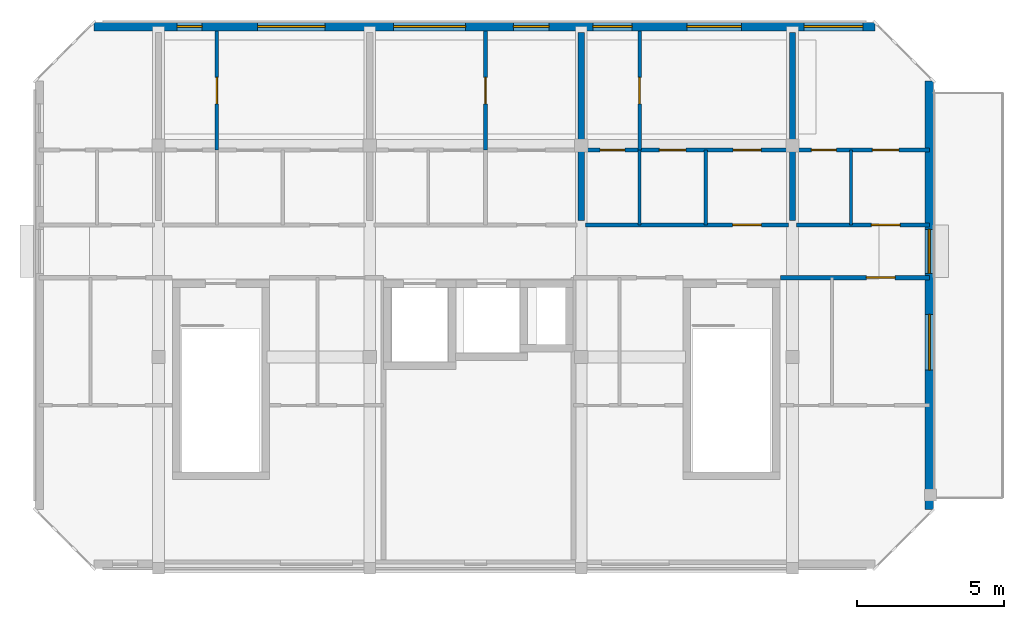
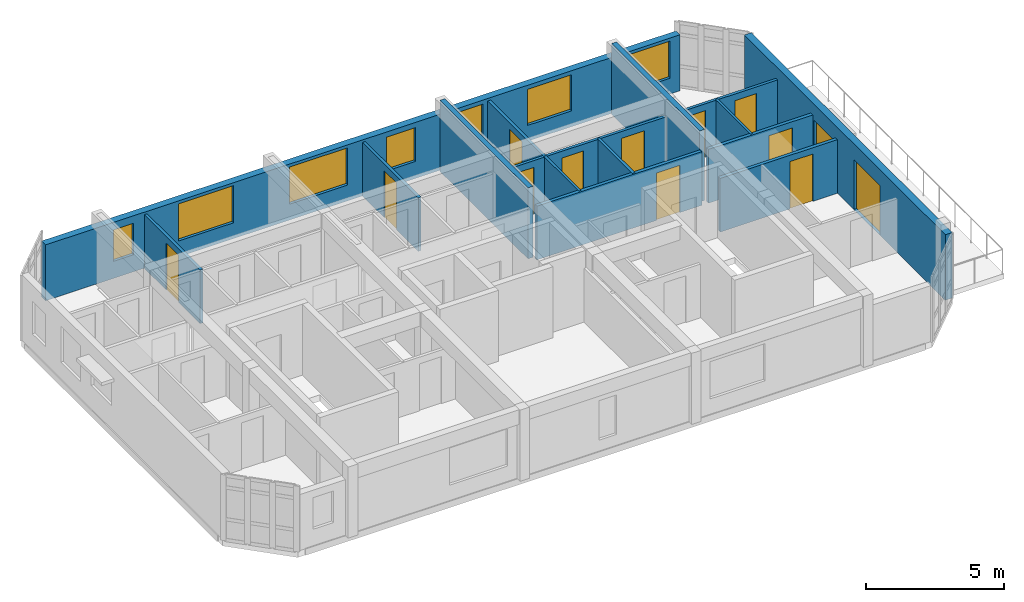
# One storey, part 5 of 6: 15 walls, 12 doors, 8 windows, 20 openings.
"""IFC4 building model written with IfcOpenShell, lengths in metres."""

from ifc_helpers import new_model, si_unit, direction, frame, frame_2d, origin, place, context, subcontext, project, spatial, rectangle, extrude, material, layer, layer_set, type_object, element, fill, save


model = new_model("IFC4")

# Units and contexts
model_context = context("Model", 3, precision=1e-05, world=origin(), true_north=direction((0.0, 1.0)))
body_context = subcontext(model_context, "Body", "Model", "MODEL_VIEW")
ifc_project = project(units=[si_unit("LENGTHUNIT", "METRE"), si_unit("AREAUNIT", "SQUARE_METRE"), si_unit("VOLUMEUNIT", "CUBIC_METRE"), si_unit("PLANEANGLEUNIT", "RADIAN"), si_unit("MASSUNIT", "GRAM", prefix="KILO")], contexts=[model_context])

# Site, building, storey
site_placement = place(None, origin())
site = spatial("IfcSite", under=ifc_project, at=site_placement, CompositionType="ELEMENT")
building_placement = place(site_placement, origin())
building = spatial("IfcBuilding", under=site, at=building_placement, Name="Ochrevale Crest", CompositionType="ELEMENT")
storey_placement = place(building_placement, frame((0.0, 0.0, 49.64990234375)))
storey = spatial("IfcBuildingStorey", under=building, at=storey_placement, Name="L15", CompositionType="ELEMENT", Elevation=49.64990234375)

# Wall, opening, door
ifc_material_1 = material(Name="Gypsum plasterboard", Category="gypsum")
ifc_layer_1 = layer(ifc_material_1, 0.139892578125)
ifc_layer_set_1 = layer_set([ifc_layer_1], Name="Gypsum plasterboard")
wall_type_1 = type_object("IfcWallType", Name="WL-COR-140", PredefinedType="PARTITIONING", material=ifc_layer_set_1)
wall_1_placement = place(storey_placement, frame((151.340087890625, 83.699951171875, 0.0), z_axis=(0.0, 0.0, 1.0), x_axis=(1.0, 0.0, 0.0)))
wall_1 = element("IfcWall", 1, at=wall_1_placement, inside=storey, type_object=wall_type_1, Name="Apartment D-L15-U4 corridor wall", PredefinedType="PARTITIONING", context=body_context, shape_type="SweptSolid", body=[
    extrude(rectangle(XDim=6.919921875, YDim=0.139892578125, at=frame_2d((3.4599609375, 0.0))), origin(), (0.0, 0.0, 1.0), 2.380126953125),
])
opening_1_placement = place(wall_1_placement, frame((6.0, 0.0, 0.0), z_axis=(0.0, 0.0, 1.0), x_axis=(-1.0, 0.0, 0.0)))
opening_1 = element("IfcOpeningElement", 2, at=opening_1_placement, cuts=wall_1, Name="Opening FD01", PredefinedType="OPENING", context=body_context, shape_type="SweptSolid", body=[
    extrude(rectangle(XDim=0.97998046875, YDim=2.10009765625, at=frame_2d((0.489990234375, 1.050048828125))), frame((0.0, 0.080078125, 0.0), z_axis=(0.0, -1.0, 0.0), x_axis=(1.0, 0.0, 0.0)), (0.0, 0.0, 1.0), 0.159912109375),
])
ifc_material_2 = material(Name="Solid-core FSC hardwood", Category="wood")
door_type_1 = type_object("IfcDoorType", Name="DR-APT-950", OperationType="NOTDEFINED", PredefinedType="DOOR", material=ifc_material_2)
door_1_placement = place(opening_1_placement, origin())
door_1 = element("IfcDoor", 3, at=door_1_placement, inside=storey, type_object=door_type_1, Name="Apartment D-L15-U4 entrance door", OperationType="SINGLE_SWING_RIGHT", OverallHeight=2.10009765625, OverallWidth=0.97998046875, PredefinedType="DOOR", context=body_context, shape_type="SweptSolid", body=[
    extrude(rectangle(XDim=0.97998046875, YDim=2.10009765625, at=frame_2d((0.489990234375, 1.050048828125))), frame((0.0, 0.02490234375, 0.0), z_axis=(0.0, -1.0, 0.0), x_axis=(1.0, 0.0, 0.0)), (0.0, 0.0, 1.0), 0.050048828125),
])
fill(opening_1, door_1)

wall_2_placement = place(storey_placement, frame((158.5400390625, 83.699951171875, 0.0), z_axis=(0.0, 0.0, 1.0), x_axis=(1.0, 0.0, 0.0)))
wall_2 = element("IfcWall", 4, at=wall_2_placement, inside=storey, type_object=wall_type_1, Name="Apartment D-L15-U5 corridor wall", PredefinedType="PARTITIONING", context=body_context, shape_type="SweptSolid", body=[
    extrude(rectangle(XDim=4.52001953125, YDim=0.139892578125, at=frame_2d((2.260009765625, 0.0))), origin(), (0.0, 0.0, 1.0), 2.380126953125),
])
opening_2_placement = place(wall_2_placement, frame((2.5400390625, 0.0, 0.0)))
opening_2 = element("IfcOpeningElement", 5, at=opening_2_placement, cuts=wall_2, Name="Opening FD01", PredefinedType="OPENING", context=body_context, shape_type="SweptSolid", body=[
    extrude(rectangle(XDim=0.97998046875, YDim=2.10009765625, at=frame_2d((0.489990234375, 1.050048828125))), frame((0.0, 0.080078125, 0.0), z_axis=(0.0, -1.0, 0.0), x_axis=(1.0, 0.0, 0.0)), (0.0, 0.0, 1.0), 0.159912109375),
])
door_2_placement = place(opening_2_placement, origin())
door_2 = element("IfcDoor", 6, at=door_2_placement, inside=storey, type_object=door_type_1, Name="Apartment D-L15-U5 entrance door", OperationType="SINGLE_SWING_LEFT", OverallHeight=2.10009765625, OverallWidth=0.97998046875, PredefinedType="DOOR", context=body_context, shape_type="SweptSolid", body=[
    extrude(rectangle(XDim=0.97998046875, YDim=2.10009765625, at=frame_2d((0.489990234375, 1.050048828125))), frame((0.0, 0.02490234375, 0.0), z_axis=(0.0, -1.0, 0.0), x_axis=(1.0, 0.0, 0.0)), (0.0, 0.0, 1.0), 0.050048828125),
])
fill(opening_2, door_2)

wall_3_placement = place(storey_placement, frame((157.989990234375, 81.89990234375, 0.0), z_axis=(0.0, 0.0, 1.0), x_axis=(1.0, 0.0, 0.0)))
wall_3 = element("IfcWall", 7, at=wall_3_placement, inside=storey, type_object=wall_type_1, Name="Suite D-L15-CE corridor wall", PredefinedType="PARTITIONING", context=body_context, shape_type="SweptSolid", body=[
    extrude(rectangle(XDim=5.070068359375, YDim=0.139892578125, at=frame_2d((2.53515625, 0.0))), origin(), (0.0, 0.0, 1.0), 2.380126953125),
])
opening_3_placement = place(wall_3_placement, frame((2.919921875, 0.0, 0.0)))
opening_3 = element("IfcOpeningElement", 8, at=opening_3_placement, cuts=wall_3, Name="Opening FD01", PredefinedType="OPENING", context=body_context, shape_type="SweptSolid", body=[
    extrude(rectangle(XDim=0.97998046875, YDim=2.10009765625, at=frame_2d((0.489990234375, 1.050048828125))), frame((0.0, 0.080078125, 0.0), z_axis=(0.0, -1.0, 0.0), x_axis=(1.0, 0.0, 0.0)), (0.0, 0.0, 1.0), 0.159912109375),
])
door_3_placement = place(opening_3_placement, origin())
door_3 = element("IfcDoor", 9, at=door_3_placement, inside=storey, type_object=door_type_1, Name="Suite D-L15-CE entrance door", OperationType="SINGLE_SWING_LEFT", OverallHeight=2.10009765625, OverallWidth=0.97998046875, PredefinedType="DOOR", context=body_context, shape_type="SweptSolid", body=[
    extrude(rectangle(XDim=0.97998046875, YDim=2.10009765625, at=frame_2d((0.489990234375, 1.050048828125))), frame((0.0, 0.02490234375, 0.0), z_axis=(0.0, -1.0, 0.0), x_axis=(1.0, 0.0, 0.0)), (0.0, 0.0, 1.0), 0.050048828125),
])
fill(opening_3, door_3)

# Wall, openings, door, window
ifc_material_3 = material(Name="Clay face brickwork", Category="masonry")
ifc_layer_2 = layer(ifc_material_3, 0.2900390625)
ifc_layer_set_2 = layer_set([ifc_layer_2], Name="Clay face brickwork")
wall_type_2 = type_object("IfcWallType", Name="WL-EXT-BRICK-290", PredefinedType="SOLIDWALL", material=ifc_layer_set_2)
wall_4_placement = place(storey_placement, frame((163.054931640625, 74.0, 0.0), z_axis=(0.0, 0.0, 1.0), x_axis=(0.0, 1.0, 0.0)))
wall_4 = element("IfcWall", 10, at=wall_4_placement, inside=storey, type_object=wall_type_2, Name="Block D L15 external facade wall E3", PredefinedType="SOLIDWALL", context=body_context, shape_type="SweptSolid", body=[
    extrude(rectangle(XDim=14.60009765625, YDim=0.2900390625, at=frame_2d((7.300048828125, 0.0))), origin(), (0.0, 0.0, 1.0), 2.91015625),
])
opening_4_placement = place(wall_4_placement, frame((6.64990234375, 0.0, 0.0), z_axis=(0.0, 0.0, 1.0), x_axis=(-1.0, 0.0, 0.0)))
opening_4 = element("IfcOpeningElement", 11, at=opening_4_placement, cuts=wall_4, Name="Opening TD01", PredefinedType="OPENING", context=body_context, shape_type="SweptSolid", body=[
    extrude(rectangle(XDim=1.89990234375, YDim=2.199951171875, at=frame_2d((0.949951171875, 1.10009765625))), frame((0.0, 0.155029296875, 0.0), z_axis=(0.0, -1.0, 0.0), x_axis=(1.0, 0.0, 0.0)), (0.0, 0.0, 1.0), 0.31005859375),
])
opening_5_placement = place(wall_4_placement, frame((8.050048828125, 0.0, 1.050048828125)))
opening_5 = element("IfcOpeningElement", 12, at=opening_5_placement, cuts=wall_4, Name="Opening W18", PredefinedType="OPENING", context=body_context, shape_type="SweptSolid", body=[
    extrude(rectangle(XDim=1.5, YDim=1.14990234375, at=frame_2d((0.75, 0.574951171875))), frame((0.0, 0.155029296875, 0.0), z_axis=(0.0, -1.0, 0.0), x_axis=(1.0, 0.0, 0.0)), (0.0, 0.0, 1.0), 0.31005859375),
])
ifc_material_4 = material(Name="Anodised aluminium 6063-T5 and toughened glass", Category="aluminium")
door_type_2 = type_object("IfcDoorType", Name="DR-TER-1900", OperationType="NOTDEFINED", PredefinedType="DOOR", material=ifc_material_4)
door_4_placement = place(opening_4_placement, origin())
door_4 = element("IfcDoor", 13, at=door_4_placement, inside=storey, type_object=door_type_2, Name="Block D L15 east penthouse terrace door", OperationType="DOUBLE_DOOR_SINGLE_SWING", OverallHeight=2.199951171875, OverallWidth=1.89990234375, PredefinedType="DOOR", context=body_context, shape_type="SweptSolid", body=[
    extrude(rectangle(XDim=1.89990234375, YDim=2.199951171875, at=frame_2d((0.949951171875, 1.10009765625))), frame((0.0, 0.02490234375, 0.0), z_axis=(0.0, -1.0, 0.0), x_axis=(1.0, 0.0, 0.0)), (0.0, 0.0, 1.0), 0.050048828125),
])
fill(opening_4, door_4)
ifc_material_5 = material(Name="Anodised aluminium 6063-T5 and low-E double glazing", Category="aluminium")
window_type_1 = type_object("IfcWindowType", Name="WIN-W18", PartitioningType="SINGLE_PANEL", PredefinedType="WINDOW", material=ifc_material_5)
window_1_placement = place(opening_5_placement, origin())
window_1 = element("IfcWindow", 14, at=window_1_placement, inside=storey, type_object=window_type_1, Name="Block D L15 corridor end daylight window E", OverallHeight=1.14990234375, OverallWidth=1.5, PartitioningType="SINGLE_PANEL", PredefinedType="WINDOW", context=body_context, shape_type="SweptSolid", body=[
    extrude(rectangle(XDim=1.5, YDim=1.14990234375, at=frame_2d((0.75, 0.574951171875))), frame((0.0, 0.030029296875, 0.0), z_axis=(0.0, -1.0, 0.0), x_axis=(1.0, 0.0, 0.0)), (0.0, 0.0, 1.0), 0.06005859375),
])
fill(opening_5, window_1)

# Wall, openings, windows
wall_5_placement = place(storey_placement, frame((161.199951171875, 90.455078125, 0.0), z_axis=(0.0, 0.0, 1.0), x_axis=(-1.0, 0.0, 0.0)))
wall_5 = element("IfcWall", 15, at=wall_5_placement, inside=storey, type_object=wall_type_2, Name="Block D L15 external facade wall E5", PredefinedType="SOLIDWALL", context=body_context, shape_type="SweptSolid", body=[
    extrude(rectangle(XDim=26.599853515625, YDim=0.2900390625, at=frame_2d((13.2998046875, 0.0))), origin(), (0.0, 0.0, 1.0), 2.47998046875),
])
opening_6_placement = place(wall_5_placement, frame((22.909912109375, 0.0, 0.75)))
opening_6 = element("IfcOpeningElement", 16, at=opening_6_placement, cuts=wall_5, Name="Opening W03", PredefinedType="OPENING", context=body_context, shape_type="SweptSolid", body=[
    extrude(rectangle(XDim=0.85009765625, YDim=1.39990234375, at=frame_2d((0.425048828125, 0.699951171875))), frame((0.0, 0.155029296875, 0.0), z_axis=(0.0, -1.0, 0.0), x_axis=(1.0, 0.0, 0.0)), (0.0, 0.0, 1.0), 0.31005859375),
])
opening_7_placement = place(wall_5_placement, frame((18.72509765625, 0.0, 0.699951171875)))
opening_7 = element("IfcOpeningElement", 17, at=opening_7_placement, cuts=wall_5, Name="Opening W14", PredefinedType="OPENING", context=body_context, shape_type="SweptSolid", body=[
    extrude(rectangle(XDim=2.300048828125, YDim=1.64990234375, at=frame_2d((1.14990234375, 0.824951171875))), frame((0.0, 0.155029296875, 0.0), z_axis=(0.0, -1.0, 0.0), x_axis=(1.0, 0.0, 0.0)), (0.0, 0.0, 1.0), 0.31005859375),
])
opening_8_placement = place(wall_5_placement, frame((13.93505859375, 0.0, 0.699951171875)))
opening_8 = element("IfcOpeningElement", 18, at=opening_8_placement, cuts=wall_5, Name="Opening W15", PredefinedType="OPENING", context=body_context, shape_type="SweptSolid", body=[
    extrude(rectangle(XDim=2.449951171875, YDim=1.64990234375, at=frame_2d((1.22509765625, 0.824951171875))), frame((0.0, 0.155029296875, 0.0), z_axis=(0.0, -1.0, 0.0), x_axis=(1.0, 0.0, 0.0)), (0.0, 0.0, 1.0), 0.31005859375),
])
opening_9_placement = place(wall_5_placement, frame((11.090087890625, 0.0, 0.75)))
opening_9 = element("IfcOpeningElement", 19, at=opening_9_placement, cuts=wall_5, Name="Opening W06", PredefinedType="OPENING", context=body_context, shape_type="SweptSolid", body=[
    extrude(rectangle(XDim=1.219970703125, YDim=1.5, at=frame_2d((0.60986328125, 0.75))), frame((0.0, 0.155029296875, 0.0), z_axis=(0.0, -1.0, 0.0), x_axis=(1.0, 0.0, 0.0)), (0.0, 0.0, 1.0), 0.31005859375),
])
opening_10_placement = place(wall_5_placement, frame((8.264892578125, 0.0, 0.75)))
opening_10 = element("IfcOpeningElement", 20, at=opening_10_placement, cuts=wall_5, Name="Opening W07", PredefinedType="OPENING", context=body_context, shape_type="SweptSolid", body=[
    extrude(rectangle(XDim=1.340087890625, YDim=1.550048828125, at=frame_2d((0.669921875, 0.77490234375))), frame((0.0, 0.155029296875, 0.0), z_axis=(0.0, -1.0, 0.0), x_axis=(1.0, 0.0, 0.0)), (0.0, 0.0, 1.0), 0.31005859375),
])
opening_11_placement = place(wall_5_placement, frame((4.544921875, 0.0, 0.699951171875)))
opening_11 = element("IfcOpeningElement", 21, at=opening_11_placement, cuts=wall_5, Name="Opening W11", PredefinedType="OPENING", context=body_context, shape_type="SweptSolid", body=[
    extrude(rectangle(XDim=1.860107421875, YDim=1.60009765625, at=frame_2d((0.93017578125, 0.800048828125))), frame((0.0, 0.155029296875, 0.0), z_axis=(0.0, -1.0, 0.0), x_axis=(1.0, 0.0, 0.0)), (0.0, 0.0, 1.0), 0.31005859375),
])
opening_12_placement = place(wall_5_placement, frame((0.409912109375, 0.0, 0.699951171875)))
opening_12 = element("IfcOpeningElement", 22, at=opening_12_placement, cuts=wall_5, Name="Opening W12", PredefinedType="OPENING", context=body_context, shape_type="SweptSolid", body=[
    extrude(rectangle(XDim=2.0, YDim=1.64990234375, at=frame_2d((1.0, 0.824951171875))), frame((0.0, 0.155029296875, 0.0), z_axis=(0.0, -1.0, 0.0), x_axis=(1.0, 0.0, 0.0)), (0.0, 0.0, 1.0), 0.31005859375),
])
window_type_2 = type_object("IfcWindowType", Name="WIN-W03", PartitioningType="SINGLE_PANEL", PredefinedType="WINDOW", material=ifc_material_5)
window_2_placement = place(opening_6_placement, origin())
window_2 = element("IfcWindow", 23, at=window_2_placement, inside=storey, type_object=window_type_2, Name="Block D L15 Apartment D-L15-U2 Double Bedroom window", OverallHeight=1.39990234375, OverallWidth=0.85009765625, PartitioningType="SINGLE_PANEL", PredefinedType="WINDOW", context=body_context, shape_type="SweptSolid", body=[
    extrude(rectangle(XDim=0.85009765625, YDim=1.39990234375, at=frame_2d((0.425048828125, 0.699951171875))), frame((0.0, 0.030029296875, 0.0), z_axis=(0.0, -1.0, 0.0), x_axis=(1.0, 0.0, 0.0)), (0.0, 0.0, 1.0), 0.06005859375),
])
fill(opening_6, window_2)
window_type_3 = type_object("IfcWindowType", Name="WIN-W06", PartitioningType="SINGLE_PANEL", PredefinedType="WINDOW", material=ifc_material_5)
window_3_placement = place(opening_9_placement, origin())
window_3 = element("IfcWindow", 24, at=window_3_placement, inside=storey, type_object=window_type_3, Name="Block D L15 Apartment D-L15-U3 One Bedroom Living Room window", OverallHeight=1.5, OverallWidth=1.219970703125, PartitioningType="SINGLE_PANEL", PredefinedType="WINDOW", context=body_context, shape_type="SweptSolid", body=[
    extrude(rectangle(XDim=1.219970703125, YDim=1.5, at=frame_2d((0.60986328125, 0.75))), frame((0.0, 0.030029296875, 0.0), z_axis=(0.0, -1.0, 0.0), x_axis=(1.0, 0.0, 0.0)), (0.0, 0.0, 1.0), 0.06005859375),
])
fill(opening_9, window_3)
window_type_4 = type_object("IfcWindowType", Name="WIN-W07", PartitioningType="SINGLE_PANEL", PredefinedType="WINDOW", material=ifc_material_5)
window_4_placement = place(opening_10_placement, origin())
window_4 = element("IfcWindow", 25, at=window_4_placement, inside=storey, type_object=window_type_4, Name="Block D L15 Apartment D-L15-U4 Twin Bedroom window", OverallHeight=1.550048828125, OverallWidth=1.340087890625, PartitioningType="SINGLE_PANEL", PredefinedType="WINDOW", context=body_context, shape_type="SweptSolid", body=[
    extrude(rectangle(XDim=1.340087890625, YDim=1.550048828125, at=frame_2d((0.669921875, 0.77490234375))), frame((0.0, 0.030029296875, 0.0), z_axis=(0.0, -1.0, 0.0), x_axis=(1.0, 0.0, 0.0)), (0.0, 0.0, 1.0), 0.06005859375),
])
fill(opening_10, window_4)
window_type_5 = type_object("IfcWindowType", Name="WIN-W11", PartitioningType="SINGLE_PANEL", PredefinedType="WINDOW", material=ifc_material_5)
window_5_placement = place(opening_11_placement, origin())
window_5 = element("IfcWindow", 26, at=window_5_placement, inside=storey, type_object=window_type_5, Name="Block D L15 Apartment D-L15-U4 Three Bedroom Family Living window", OverallHeight=1.60009765625, OverallWidth=1.860107421875, PartitioningType="SINGLE_PANEL", PredefinedType="WINDOW", context=body_context, shape_type="SweptSolid", body=[
    extrude(rectangle(XDim=1.860107421875, YDim=1.60009765625, at=frame_2d((0.93017578125, 0.800048828125))), frame((0.0, 0.030029296875, 0.0), z_axis=(0.0, -1.0, 0.0), x_axis=(1.0, 0.0, 0.0)), (0.0, 0.0, 1.0), 0.06005859375),
])
fill(opening_11, window_5)
window_type_6 = type_object("IfcWindowType", Name="WIN-W12", PartitioningType="SINGLE_PANEL", PredefinedType="WINDOW", material=ifc_material_5)
window_6_placement = place(opening_12_placement, origin())
window_6 = element("IfcWindow", 27, at=window_6_placement, inside=storey, type_object=window_type_6, Name="Block D L15 Studio D-L15-U5 Living Room window", OverallHeight=1.64990234375, OverallWidth=2.0, PartitioningType="SINGLE_PANEL", PredefinedType="WINDOW", context=body_context, shape_type="SweptSolid", body=[
    extrude(rectangle(XDim=2.0, YDim=1.64990234375, at=frame_2d((1.0, 0.824951171875))), frame((0.0, 0.030029296875, 0.0), z_axis=(0.0, -1.0, 0.0), x_axis=(1.0, 0.0, 0.0)), (0.0, 0.0, 1.0), 0.06005859375),
])
fill(opening_12, window_6)
window_type_7 = type_object("IfcWindowType", Name="WIN-W14", PartitioningType="SINGLE_PANEL", PredefinedType="WINDOW", material=ifc_material_5)
window_7_placement = place(opening_7_placement, origin())
window_7 = element("IfcWindow", 28, at=window_7_placement, inside=storey, type_object=window_type_7, Name="Block D L15 Apartment D-L15-U2 Two Bedroom Living Room window", OverallHeight=1.64990234375, OverallWidth=2.300048828125, PartitioningType="SINGLE_PANEL", PredefinedType="WINDOW", context=body_context, shape_type="SweptSolid", body=[
    extrude(rectangle(XDim=2.300048828125, YDim=1.64990234375, at=frame_2d((1.14990234375, 0.824951171875))), frame((0.0, 0.030029296875, 0.0), z_axis=(0.0, -1.0, 0.0), x_axis=(1.0, 0.0, 0.0)), (0.0, 0.0, 1.0), 0.06005859375),
])
fill(opening_7, window_7)
window_type_8 = type_object("IfcWindowType", Name="WIN-W15", PartitioningType="SINGLE_PANEL", PredefinedType="WINDOW", material=ifc_material_5)
window_8_placement = place(opening_8_placement, origin())
window_8 = element("IfcWindow", 29, at=window_8_placement, inside=storey, type_object=window_type_8, Name="Block D L15 Apartment D-L15-U3 Master Bedroom window", OverallHeight=1.64990234375, OverallWidth=2.449951171875, PartitioningType="SINGLE_PANEL", PredefinedType="WINDOW", context=body_context, shape_type="SweptSolid", body=[
    extrude(rectangle(XDim=2.449951171875, YDim=1.64990234375, at=frame_2d((1.22509765625, 0.824951171875))), frame((0.0, 0.030029296875, 0.0), z_axis=(0.0, -1.0, 0.0), x_axis=(1.0, 0.0, 0.0)), (0.0, 0.0, 1.0), 0.06005859375),
])
fill(opening_8, window_8)

# Wall, opening, door
ifc_layer_3 = layer(ifc_material_1, 0.1201171875)
ifc_layer_set_3 = layer_set([ifc_layer_3], Name="Gypsum plasterboard")
wall_type_3 = type_object("IfcWallType", Name="WL-PART-120", PredefinedType="PARTITIONING", material=ifc_layer_set_3)
wall_6_placement = place(storey_placement, frame((138.7900390625, 86.25, 0.0), z_axis=(0.0, 0.0, 1.0), x_axis=(0.0, 1.0, 0.0)))
wall_6 = element("IfcWall", 30, at=wall_6_placement, inside=storey, type_object=wall_type_3, Name="Apartment D-L15-U2 bedroom partition", PredefinedType="PARTITIONING", context=body_context, shape_type="SweptSolid", body=[
    extrude(rectangle(XDim=4.050048828125, YDim=0.1201171875, at=frame_2d((2.02490234375, 0.0))), origin(), (0.0, 0.0, 1.0), 2.380126953125),
])
opening_13_placement = place(wall_6_placement, frame((2.474853515625, 0.0, 0.0), z_axis=(0.0, 0.0, 1.0), x_axis=(-1.0, 0.0, 0.0)))
opening_13 = element("IfcOpeningElement", 31, at=opening_13_placement, cuts=wall_6, Name="Opening ID02", PredefinedType="OPENING", context=body_context, shape_type="SweptSolid", body=[
    extrude(rectangle(XDim=0.89990234375, YDim=2.080078125, at=frame_2d((0.449951171875, 1.0400390625))), frame((0.0, 0.070068359375, 0.0), z_axis=(0.0, -1.0, 0.0), x_axis=(1.0, 0.0, 0.0)), (0.0, 0.0, 1.0), 0.14013671875),
])
door_type_3 = type_object("IfcDoorType", Name="DR-INT-900", OperationType="NOTDEFINED", PredefinedType="DOOR", material=ifc_material_2)
door_5_placement = place(opening_13_placement, origin())
door_5 = element("IfcDoor", 32, at=door_5_placement, inside=storey, type_object=door_type_3, Name="Apartment D-L15-U2 Double Bedroom door", OperationType="SINGLE_SWING_RIGHT", OverallHeight=2.080078125, OverallWidth=0.89990234375, PredefinedType="DOOR", context=body_context, shape_type="SweptSolid", body=[
    extrude(rectangle(XDim=0.89990234375, YDim=2.080078125, at=frame_2d((0.449951171875, 1.0400390625))), frame((0.0, 0.02490234375, 0.0), z_axis=(0.0, -1.0, 0.0), x_axis=(1.0, 0.0, 0.0)), (0.0, 0.0, 1.0), 0.050048828125),
])
fill(opening_13, door_5)

wall_7_placement = place(storey_placement, frame((147.93994140625, 86.25, 0.0), z_axis=(0.0, 0.0, 1.0), x_axis=(0.0, 1.0, 0.0)))
wall_7 = element("IfcWall", 33, at=wall_7_placement, inside=storey, type_object=wall_type_3, Name="Apartment D-L15-U3 bedroom partition", PredefinedType="PARTITIONING", context=body_context, shape_type="SweptSolid", body=[
    extrude(rectangle(XDim=4.050048828125, YDim=0.1201171875, at=frame_2d((2.02490234375, 0.0))), origin(), (0.0, 0.0, 1.0), 2.380126953125),
])
opening_14_placement = place(wall_7_placement, frame((1.574951171875, 0.0, 0.0)))
opening_14 = element("IfcOpeningElement", 34, at=opening_14_placement, cuts=wall_7, Name="Opening ID02", PredefinedType="OPENING", context=body_context, shape_type="SweptSolid", body=[
    extrude(rectangle(XDim=0.89990234375, YDim=2.080078125, at=frame_2d((0.449951171875, 1.0400390625))), frame((0.0, 0.070068359375, 0.0), z_axis=(0.0, -1.0, 0.0), x_axis=(1.0, 0.0, 0.0)), (0.0, 0.0, 1.0), 0.14013671875),
])
door_6_placement = place(opening_14_placement, origin())
door_6 = element("IfcDoor", 35, at=door_6_placement, inside=storey, type_object=door_type_3, Name="Apartment D-L15-U3 Master Bedroom door", OperationType="SINGLE_SWING_LEFT", OverallHeight=2.080078125, OverallWidth=0.89990234375, PredefinedType="DOOR", context=body_context, shape_type="SweptSolid", body=[
    extrude(rectangle(XDim=0.89990234375, YDim=2.080078125, at=frame_2d((0.449951171875, 1.0400390625))), frame((0.0, 0.02490234375, 0.0), z_axis=(0.0, -1.0, 0.0), x_axis=(1.0, 0.0, 0.0)), (0.0, 0.0, 1.0), 0.050048828125),
])
fill(opening_14, door_6)

# Wall
wall_8_placement = place(storey_placement, frame((155.43994140625, 83.699951171875, 0.0), z_axis=(0.0, 0.0, 1.0), x_axis=(0.0, 1.0, 0.0)))
element("IfcWall", 36, at=wall_8_placement, inside=storey, type_object=wall_type_3, Name="Apartment D-L15-U4 kitchen-foyer wall", PredefinedType="PARTITIONING", context=body_context, shape_type="SweptSolid", body=[
    extrude(rectangle(XDim=2.550048828125, YDim=0.1201171875, at=frame_2d((1.27490234375, 0.0))), origin(), (0.0, 0.0, 1.0), 2.380126953125),
])

# Wall, openings, doors
wall_9_placement = place(storey_placement, frame((151.340087890625, 86.25, 0.0), z_axis=(0.0, 0.0, 1.0), x_axis=(1.0, 0.0, 0.0)))
wall_9 = element("IfcWall", 37, at=wall_9_placement, inside=storey, type_object=wall_type_3, Name="Apartment D-L15-U4 central partition", PredefinedType="PARTITIONING", context=body_context, shape_type="SweptSolid", body=[
    extrude(rectangle(XDim=6.919921875, YDim=0.1201171875, at=frame_2d((3.4599609375, 0.0))), origin(), (0.0, 0.0, 1.0), 2.380126953125),
])
opening_15_placement = place(wall_9_placement, frame((0.5, 0.0, 0.0)))
opening_15 = element("IfcOpeningElement", 38, at=opening_15_placement, cuts=wall_9, Name="Opening ID01", PredefinedType="OPENING", context=body_context, shape_type="SweptSolid", body=[
    extrude(rectangle(XDim=0.85009765625, YDim=2.080078125, at=frame_2d((0.425048828125, 1.0400390625))), frame((0.0, 0.070068359375, 0.0), z_axis=(0.0, -1.0, 0.0), x_axis=(1.0, 0.0, 0.0)), (0.0, 0.0, 1.0), 0.14013671875),
])
opening_16_placement = place(wall_9_placement, frame((3.4248046875, 0.0, 0.0), z_axis=(0.0, 0.0, 1.0), x_axis=(-1.0, 0.0, 0.0)))
opening_16 = element("IfcOpeningElement", 39, at=opening_16_placement, cuts=wall_9, Name="Opening ID02", PredefinedType="OPENING", context=body_context, shape_type="SweptSolid", body=[
    extrude(rectangle(XDim=0.89990234375, YDim=2.080078125, at=frame_2d((0.449951171875, 1.0400390625))), frame((0.0, 0.070068359375, 0.0), z_axis=(0.0, -1.0, 0.0), x_axis=(1.0, 0.0, 0.0)), (0.0, 0.0, 1.0), 0.14013671875),
])
opening_17_placement = place(wall_9_placement, frame((5.034912109375, 0.0, 0.0)))
opening_17 = element("IfcOpeningElement", 40, at=opening_17_placement, cuts=wall_9, Name="Opening ID06", PredefinedType="OPENING", context=body_context, shape_type="SweptSolid", body=[
    extrude(rectangle(XDim=0.949951171875, YDim=2.080078125, at=frame_2d((0.47509765625, 1.0400390625))), frame((0.0, 0.070068359375, 0.0), z_axis=(0.0, -1.0, 0.0), x_axis=(1.0, 0.0, 0.0)), (0.0, 0.0, 1.0), 0.14013671875),
])
door_7_placement = place(opening_16_placement, origin())
door_7 = element("IfcDoor", 41, at=door_7_placement, inside=storey, type_object=door_type_3, Name="Apartment D-L15-U4 Kitchen door", OperationType="SINGLE_SWING_RIGHT", OverallHeight=2.080078125, OverallWidth=0.89990234375, PredefinedType="DOOR", context=body_context, shape_type="SweptSolid", body=[
    extrude(rectangle(XDim=0.89990234375, YDim=2.080078125, at=frame_2d((0.449951171875, 1.0400390625))), frame((0.0, 0.02490234375, 0.0), z_axis=(0.0, -1.0, 0.0), x_axis=(1.0, 0.0, 0.0)), (0.0, 0.0, 1.0), 0.050048828125),
])
fill(opening_16, door_7)
door_type_4 = type_object("IfcDoorType", Name="DR-INT-950", OperationType="NOTDEFINED", PredefinedType="DOOR", material=ifc_material_2)
door_8_placement = place(opening_17_placement, origin())
door_8 = element("IfcDoor", 42, at=door_8_placement, inside=storey, type_object=door_type_4, Name="Apartment D-L15-U4 Living Foyer door", OperationType="SINGLE_SWING_LEFT", OverallHeight=2.080078125, OverallWidth=0.949951171875, PredefinedType="DOOR", context=body_context, shape_type="SweptSolid", body=[
    extrude(rectangle(XDim=0.949951171875, YDim=2.080078125, at=frame_2d((0.47509765625, 1.0400390625))), frame((0.0, 0.02490234375, 0.0), z_axis=(0.0, -1.0, 0.0), x_axis=(1.0, 0.0, 0.0)), (0.0, 0.0, 1.0), 0.050048828125),
])
fill(opening_17, door_8)
door_type_5 = type_object("IfcDoorType", Name="DR-WC-850", OperationType="NOTDEFINED", PredefinedType="DOOR", material=ifc_material_2)
door_9_placement = place(opening_15_placement, origin())
door_9 = element("IfcDoor", 43, at=door_9_placement, inside=storey, type_object=door_type_5, Name="Apartment D-L15-U4 Bathroom door", OperationType="SINGLE_SWING_LEFT", OverallHeight=2.080078125, OverallWidth=0.85009765625, PredefinedType="DOOR", context=body_context, shape_type="SweptSolid", body=[
    extrude(rectangle(XDim=0.85009765625, YDim=2.080078125, at=frame_2d((0.425048828125, 1.0400390625))), frame((0.0, 0.02490234375, 0.0), z_axis=(0.0, -1.0, 0.0), x_axis=(1.0, 0.0, 0.0)), (0.0, 0.0, 1.0), 0.050048828125),
])
fill(opening_15, door_9)

# Wall, opening, door
wall_10_placement = place(storey_placement, frame((153.18994140625, 86.25, 0.0), z_axis=(0.0, 0.0, 1.0), x_axis=(0.0, 1.0, 0.0)))
wall_10 = element("IfcWall", 44, at=wall_10_placement, inside=storey, type_object=wall_type_3, Name="Apartment D-L15-U4 bedroom partition", PredefinedType="PARTITIONING", context=body_context, shape_type="SweptSolid", body=[
    extrude(rectangle(XDim=4.050048828125, YDim=0.1201171875, at=frame_2d((2.02490234375, 0.0))), origin(), (0.0, 0.0, 1.0), 2.380126953125),
])
opening_18_placement = place(wall_10_placement, frame((2.474853515625, 0.0, 0.0), z_axis=(0.0, 0.0, 1.0), x_axis=(-1.0, 0.0, 0.0)))
opening_18 = element("IfcOpeningElement", 45, at=opening_18_placement, cuts=wall_10, Name="Opening ID02", PredefinedType="OPENING", context=body_context, shape_type="SweptSolid", body=[
    extrude(rectangle(XDim=0.89990234375, YDim=2.080078125, at=frame_2d((0.449951171875, 1.0400390625))), frame((0.0, 0.070068359375, 0.0), z_axis=(0.0, -1.0, 0.0), x_axis=(1.0, 0.0, 0.0)), (0.0, 0.0, 1.0), 0.14013671875),
])
door_10_placement = place(opening_18_placement, origin())
door_10 = element("IfcDoor", 46, at=door_10_placement, inside=storey, type_object=door_type_3, Name="Apartment D-L15-U4 Twin Bedroom door", OperationType="SINGLE_SWING_RIGHT", OverallHeight=2.080078125, OverallWidth=0.89990234375, PredefinedType="DOOR", context=body_context, shape_type="SweptSolid", body=[
    extrude(rectangle(XDim=0.89990234375, YDim=2.080078125, at=frame_2d((0.449951171875, 1.0400390625))), frame((0.0, 0.02490234375, 0.0), z_axis=(0.0, -1.0, 0.0), x_axis=(1.0, 0.0, 0.0)), (0.0, 0.0, 1.0), 0.050048828125),
])
fill(opening_18, door_10)

# Wall, openings, doors
wall_11_placement = place(storey_placement, frame((158.5400390625, 86.25, 0.0), z_axis=(0.0, 0.0, 1.0), x_axis=(1.0, 0.0, 0.0)))
wall_11 = element("IfcWall", 47, at=wall_11_placement, inside=storey, type_object=wall_type_3, Name="Apartment D-L15-U5 central partition", PredefinedType="PARTITIONING", context=body_context, shape_type="SweptSolid", body=[
    extrude(rectangle(XDim=4.52001953125, YDim=0.1201171875, at=frame_2d((2.260009765625, 0.0))), origin(), (0.0, 0.0, 1.0), 2.380126953125),
])
opening_19_placement = place(wall_11_placement, frame((1.35009765625, 0.0, 0.0), z_axis=(0.0, 0.0, 1.0), x_axis=(-1.0, 0.0, 0.0)))
opening_19 = element("IfcOpeningElement", 48, at=opening_19_placement, cuts=wall_11, Name="Opening ID01", PredefinedType="OPENING", context=body_context, shape_type="SweptSolid", body=[
    extrude(rectangle(XDim=0.85009765625, YDim=2.080078125, at=frame_2d((0.425048828125, 1.0400390625))), frame((0.0, 0.070068359375, 0.0), z_axis=(0.0, -1.0, 0.0), x_axis=(1.0, 0.0, 0.0)), (0.0, 0.0, 1.0), 0.14013671875),
])
opening_20_placement = place(wall_11_placement, frame((2.580078125, 0.0, 0.0)))
opening_20 = element("IfcOpeningElement", 49, at=opening_20_placement, cuts=wall_11, Name="Opening ID02", PredefinedType="OPENING", context=body_context, shape_type="SweptSolid", body=[
    extrude(rectangle(XDim=0.89990234375, YDim=2.080078125, at=frame_2d((0.449951171875, 1.0400390625))), frame((0.0, 0.070068359375, 0.0), z_axis=(0.0, -1.0, 0.0), x_axis=(1.0, 0.0, 0.0)), (0.0, 0.0, 1.0), 0.14013671875),
])
door_11_placement = place(opening_20_placement, origin())
door_11 = element("IfcDoor", 50, at=door_11_placement, inside=storey, type_object=door_type_3, Name="Apartment D-L15-U5 Kitchen door", OperationType="SINGLE_SWING_LEFT", OverallHeight=2.080078125, OverallWidth=0.89990234375, PredefinedType="DOOR", context=body_context, shape_type="SweptSolid", body=[
    extrude(rectangle(XDim=0.89990234375, YDim=2.080078125, at=frame_2d((0.449951171875, 1.0400390625))), frame((0.0, 0.02490234375, 0.0), z_axis=(0.0, -1.0, 0.0), x_axis=(1.0, 0.0, 0.0)), (0.0, 0.0, 1.0), 0.050048828125),
])
fill(opening_20, door_11)
door_12_placement = place(opening_19_placement, origin())
door_12 = element("IfcDoor", 51, at=door_12_placement, inside=storey, type_object=door_type_5, Name="Apartment D-L15-U5 Bathroom door", OperationType="SINGLE_SWING_RIGHT", OverallHeight=2.080078125, OverallWidth=0.85009765625, PredefinedType="DOOR", context=body_context, shape_type="SweptSolid", body=[
    extrude(rectangle(XDim=0.85009765625, YDim=2.080078125, at=frame_2d((0.425048828125, 1.0400390625))), frame((0.0, 0.02490234375, 0.0), z_axis=(0.0, -1.0, 0.0), x_axis=(1.0, 0.0, 0.0)), (0.0, 0.0, 1.0), 0.050048828125),
])
fill(opening_19, door_12)

# Walls
ifc_material_6 = material(Name="Precast concrete C40/50", Category="concrete")
ifc_layer_4 = layer(ifc_material_6, 0.2099609375)
ifc_layer_set_4 = layer_set([ifc_layer_4], Name="Precast concrete C40/50")
wall_type_4 = type_object("IfcWallType", Name="WL-SHEAR-210", PredefinedType="SHEAR", material=ifc_layer_set_4)
for number, where, z_axis, x_axis, name in (
    (52, (151.199951171875, 83.85009765625, 0.0), (0.0, 0.0, 1.0), (0.0, 1.0, 0.0), "Block D L15 load-bearing precast cross-wall X=151.2"),
    (53, (158.39990234375, 83.85009765625, 0.0), (0.0, 0.0, 1.0), (0.0, 1.0, 0.0), "Block D L15 load-bearing precast cross-wall X=158.4"),
):
    element("IfcWall", number, at=place(storey_placement, frame(where, z_axis=z_axis, x_axis=x_axis)), inside=storey, type_object=wall_type_4, Name=name, PredefinedType="SHEAR", context=body_context, shape_type="SweptSolid", body=[
        extrude(rectangle(XDim=6.39990234375, YDim=0.2099609375, at=frame_2d((3.199951171875, 0.0))), origin(), (0.0, 0.0, 1.0), 3.150146484375),
    ])
ifc_layer_5 = layer(ifc_material_1, 0.10009765625)
ifc_layer_set_5 = layer_set([ifc_layer_5], Name="Gypsum plasterboard")
wall_type_5 = type_object("IfcWallType", Name="WL-WET-100", PredefinedType="PARTITIONING", material=ifc_layer_set_5)
for number, where, z_axis, x_axis, name in (
    (54, (153.18994140625, 83.699951171875, 0.0), (0.0, 0.0, 1.0), (0.0, 1.0, 0.0), "Apartment D-L15-U4 bath-kitchen wall"),
    (55, (160.389892578125, 83.699951171875, 0.0), (0.0, 0.0, 1.0), (0.0, 1.0, 0.0), "Apartment D-L15-U5 bath-kitchen wall"),
):
    element("IfcWall", number, at=place(storey_placement, frame(where, z_axis=z_axis, x_axis=x_axis)), inside=storey, type_object=wall_type_5, Name=name, PredefinedType="PARTITIONING", context=body_context, shape_type="SweptSolid", body=[
        extrude(rectangle(XDim=2.550048828125, YDim=0.10009765625, at=frame_2d((1.27490234375, 0.0))), origin(), (0.0, 0.0, 1.0), 2.380126953125),
    ])

save(model, "model.ifc")
